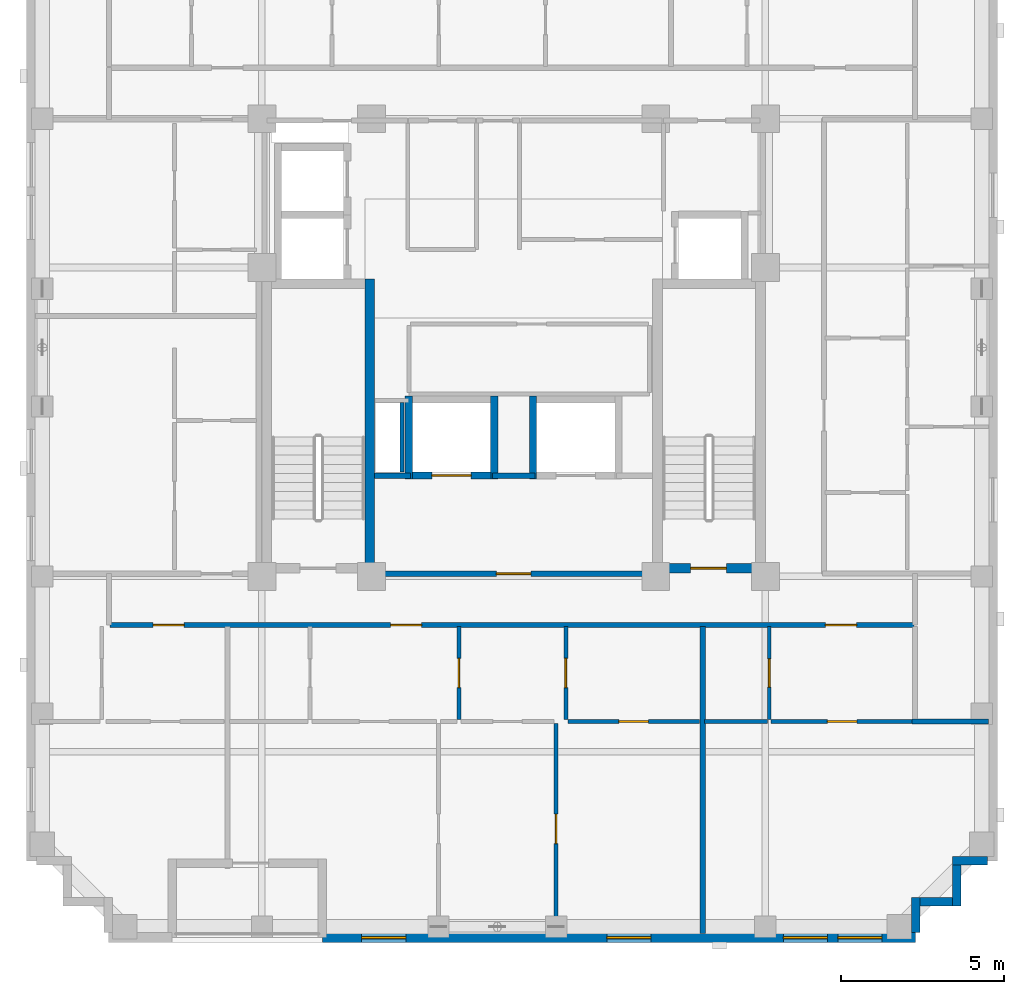
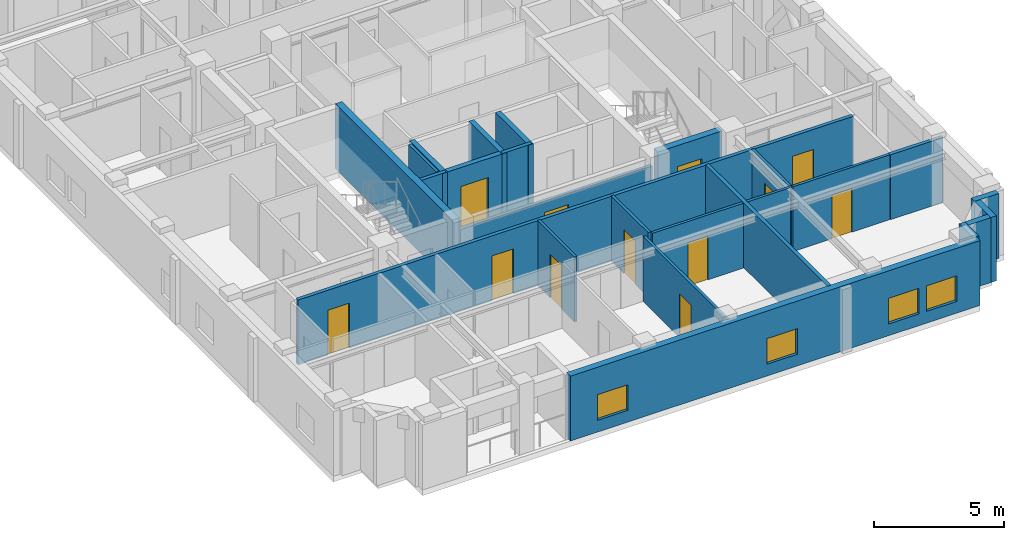
# One storey, part 3 of 10: 25 walls, 12 doors, 4 windows, 16 openings.
"""IFC4 building model written with IfcOpenShell, lengths in metres."""

from ifc_helpers import new_model, si_unit, derived_unit, direction, frame, frame_2d, origin, place, context, subcontext, project, spatial, rectangle, extrude, material, layer, layer_set, type_object, element, fill, save


model = new_model("IFC4")

# Units and contexts
model_context = context("Model", 3, precision=1e-05, world=origin(), true_north=direction((0.0, 1.0)))
body_context = subcontext(model_context, "Body", "Model", "MODEL_VIEW")
ifc_project = project(units=[si_unit("LENGTHUNIT", "METRE"), si_unit("AREAUNIT", "SQUARE_METRE"), si_unit("VOLUMEUNIT", "CUBIC_METRE"), si_unit("PLANEANGLEUNIT", "RADIAN"), si_unit("MASSUNIT", "GRAM", prefix="KILO"), derived_unit("THERMALTRANSMITTANCEUNIT", [(si_unit("MASSUNIT", "GRAM", prefix="KILO"), 1), (si_unit("TIMEUNIT", "SECOND"), -3), (si_unit("THERMODYNAMICTEMPERATUREUNIT", "KELVIN"), -1)])], contexts=[model_context])

# Site, building, storey
site_placement = place(None, origin())
site = spatial("IfcSite", under=ifc_project, at=site_placement, CompositionType="ELEMENT")
building_placement = place(site_placement, origin())
building = spatial("IfcBuilding", under=site, at=building_placement, Name="Korrvale Station Residences", CompositionType="ELEMENT")
storey_placement = place(building_placement, frame((0.0, 0.0, 207.39990234375)))
storey = spatial("IfcBuildingStorey", under=building, at=storey_placement, Name="L60", CompositionType="ELEMENT", Elevation=207.39990234375)

# Wall
ifc_material_1 = material(Name="Concrete C50/60", Category="concrete")
ifc_layer_1 = layer(ifc_material_1, 0.300048828125, Name="Concrete C50/60")
ifc_layer_set_1 = layer_set([ifc_layer_1], Name="Concrete C50/60")
wall_type_1 = type_object("IfcWallType", Name="WAL-CORE-300-C50", PredefinedType="SHEAR", material=ifc_layer_set_1)
wall_1_placement = place(storey_placement, frame((21.10009765625, 15.10009765625, 0.0), z_axis=(0.0, 0.0, 1.0), x_axis=(0.0, 1.0, 0.0)))
element("IfcWall", 1, at=wall_1_placement, inside=storey, type_object=wall_type_1, Name="L60 ST-1 Core Shear Wall East", PredefinedType="SHEAR", context=body_context, shape_type="SweptSolid", body=[
    extrude(rectangle(XDim=9.0, YDim=0.300048828125, at=frame_2d((4.5, 0.0))), origin(), (0.0, 0.0, 1.0), 3.0400390625),
])

# Wall, opening, door
wall_2_placement = place(storey_placement, frame((30.050048828125, 15.25, 0.0), z_axis=(0.0, 0.0, 1.0), x_axis=(1.0, 0.0, 0.0)))
wall_2 = element("IfcWall", 2, at=wall_2_placement, inside=storey, type_object=wall_type_1, Name="L60 ST-2 Core Shear Wall South", PredefinedType="SHEAR", context=body_context, shape_type="SweptSolid", body=[
    extrude(rectangle(XDim=2.849853515625, YDim=0.300048828125, at=frame_2d((1.4248046875, 0.0))), origin(), (0.0, 0.0, 1.0), 3.0400390625),
])
opening_1_placement = place(wall_2_placement, frame((0.860107421875, 0.0, 0.0)))
opening_1 = element("IfcOpeningElement", 3, at=opening_1_placement, cuts=wall_2, Name="Opening SD-1100", PredefinedType="OPENING", context=body_context, shape_type="SweptSolid", body=[
    extrude(rectangle(XDim=1.10009765625, YDim=2.050048828125, at=frame_2d((0.550048828125, 1.02490234375))), frame((0.0, 0.16015625, 0.0), z_axis=(0.0, -1.0, 0.0), x_axis=(1.0, 0.0, 0.0)), (0.0, 0.0, 1.0), 0.320068359375),
])
ifc_material_2 = material(Name="Hollow-metal fire-rated stair door with closer", Category="steel")
door_type_1 = type_object("IfcDoorType", Name="DR-STAIR-1100", OperationType="NOTDEFINED", PredefinedType="DOOR", material=ifc_material_2)
door_1_placement = place(opening_1_placement, origin())
door_1 = element("IfcDoor", 4, at=door_1_placement, inside=storey, type_object=door_type_1, Name="L60 ST-2 Exit Stair Door", OperationType="SINGLE_SWING_RIGHT", OverallHeight=2.050048828125, OverallWidth=1.10009765625, PredefinedType="DOOR", context=body_context, shape_type="SweptSolid", body=[
    extrude(rectangle(XDim=1.10009765625, YDim=2.050048828125, at=frame_2d((0.550048828125, 1.02490234375))), frame((0.0, 0.02490234375, 0.0), z_axis=(0.0, -1.0, 0.0), x_axis=(1.0, 0.0, 0.0)), (0.0, 0.0, 1.0), 0.050048828125),
])
fill(opening_1, door_1)

# Walls
ifc_material_3 = material(Name="Precast concrete C45/55", Category="concrete")
ifc_layer_2 = layer(ifc_material_3, 0.260009765625, Name="Precast concrete C45/55")
ifc_layer_set_2 = layer_set([ifc_layer_2], Name="Precast concrete C45/55")
wall_type_2 = type_object("IfcWallType", Name="WAL-EXT-LOG260", PredefinedType="SOLIDWALL", material=ifc_layer_set_2)
wall_3_placement = place(storey_placement, frame((39.998046875, 6.300048828125, 0.0), z_axis=(0.0, 0.0, 1.0), x_axis=(-1.0, 0.0, 0.0)))
element("IfcWall", 5, at=wall_3_placement, inside=storey, type_object=wall_type_2, Name="L60 Serrated Corner Precast Step SE-1", PredefinedType="SOLIDWALL", context=body_context, shape_type="SweptSolid", body=[
    extrude(rectangle(XDim=1.078125, YDim=0.260009765625, at=frame_2d((0.5390625, 0.0))), origin(), (0.0, 0.0, 1.0), 3.0400390625),
])
wall_4_placement = place(storey_placement, frame((39.050048828125, 6.16796875, 0.0), z_axis=(0.0, 0.0, 1.0), x_axis=(0.0, -1.0, 0.0)))
element("IfcWall", 6, at=wall_4_placement, inside=storey, type_object=wall_type_2, Name="L60 Serrated Corner Precast Step SE-2", PredefinedType="SOLIDWALL", context=body_context, shape_type="SweptSolid", body=[
    extrude(rectangle(XDim=1.248046875, YDim=0.260009765625, at=frame_2d((0.6240234375, 0.0))), origin(), (0.0, 0.0, 1.0), 3.0400390625),
])
wall_5_placement = place(storey_placement, frame((38.91796875, 5.050048828125, 0.0), z_axis=(0.0, 0.0, 1.0), x_axis=(-1.0, 0.0, 0.0)))
element("IfcWall", 7, at=wall_5_placement, inside=storey, type_object=wall_type_2, Name="L60 Serrated Corner Precast Step SE-3", PredefinedType="SOLIDWALL", context=body_context, shape_type="SweptSolid", body=[
    extrude(rectangle(XDim=0.986083984375, YDim=0.260009765625, at=frame_2d((0.4931640625, 0.0))), origin(), (0.0, 0.0, 1.0), 3.0400390625),
])
wall_6_placement = place(storey_placement, frame((37.800048828125, 5.179931640625, 0.0), z_axis=(0.0, 0.0, 1.0), x_axis=(0.0, -1.0, 0.0)))
element("IfcWall", 8, at=wall_6_placement, inside=storey, type_object=wall_type_2, Name="L60 Serrated Corner Precast Step SE-4", PredefinedType="SOLIDWALL", context=body_context, shape_type="SweptSolid", body=[
    extrude(rectangle(XDim=1.077880859375, YDim=0.260009765625, at=frame_2d((0.5390625, 0.0))), origin(), (0.0, 0.0, 1.0), 3.0400390625),
])

# Wall, openings, windows
ifc_layer_3 = layer(ifc_material_3, 0.300048828125, Name="Precast concrete C45/55")
ifc_layer_set_3 = layer_set([ifc_layer_3], Name="Precast concrete C45/55")
wall_type_3 = type_object("IfcWallType", Name="WAL-EXT-PC300", PredefinedType="SOLIDWALL", material=ifc_layer_set_3)
wall_7_placement = place(storey_placement, frame((37.800048828125, 3.949951171875, 0.0), z_axis=(0.0, 0.0, 1.0), x_axis=(-1.0, 0.0, 0.0)))
wall_7 = element("IfcWall", 9, at=wall_7_placement, inside=storey, type_object=wall_type_3, Name="L60 South Exterior Precast Wall 1", PredefinedType="SOLIDWALL", context=body_context, shape_type="SweptSolid", body=[
    extrude(rectangle(XDim=18.150146484375, YDim=0.300048828125, at=frame_2d((9.0751953125, 0.0))), origin(), (0.0, 0.0, 1.0), 3.0400390625),
])
opening_2_placement = place(wall_7_placement, frame((15.60009765625, 0.0, 0.550048828125)))
opening_2 = element("IfcOpeningElement", 10, at=opening_2_placement, cuts=wall_7, Name="Opening W-10", PredefinedType="OPENING", context=body_context, shape_type="SweptSolid", body=[
    extrude(rectangle(XDim=1.35009765625, YDim=1.199951171875, at=frame_2d((0.675048828125, 0.60009765625))), frame((0.0, 0.16015625, 0.0), z_axis=(0.0, -1.0, 0.0), x_axis=(1.0, 0.0, 0.0)), (0.0, 0.0, 1.0), 0.320068359375),
])
opening_3_placement = place(wall_7_placement, frame((8.10009765625, 0.0, 0.550048828125)))
opening_3 = element("IfcOpeningElement", 11, at=opening_3_placement, cuts=wall_7, Name="Opening W-10", PredefinedType="OPENING", context=body_context, shape_type="SweptSolid", body=[
    extrude(rectangle(XDim=1.35009765625, YDim=1.199951171875, at=frame_2d((0.675048828125, 0.60009765625))), frame((0.0, 0.16015625, 0.0), z_axis=(0.0, -1.0, 0.0), x_axis=(1.0, 0.0, 0.0)), (0.0, 0.0, 1.0), 0.320068359375),
])
opening_4_placement = place(wall_7_placement, frame((2.699951171875, 0.0, 0.550048828125)))
opening_4 = element("IfcOpeningElement", 12, at=opening_4_placement, cuts=wall_7, Name="Opening W-10", PredefinedType="OPENING", context=body_context, shape_type="SweptSolid", body=[
    extrude(rectangle(XDim=1.35009765625, YDim=1.199951171875, at=frame_2d((0.675048828125, 0.60009765625))), frame((0.0, 0.16015625, 0.0), z_axis=(0.0, -1.0, 0.0), x_axis=(1.0, 0.0, 0.0)), (0.0, 0.0, 1.0), 0.320068359375),
])
opening_5_placement = place(wall_7_placement, frame((1.034912109375, 0.0, 0.550048828125)))
opening_5 = element("IfcOpeningElement", 13, at=opening_5_placement, cuts=wall_7, Name="Opening W-10", PredefinedType="OPENING", context=body_context, shape_type="SweptSolid", body=[
    extrude(rectangle(XDim=1.35009765625, YDim=1.199951171875, at=frame_2d((0.675048828125, 0.60009765625))), frame((0.0, 0.16015625, 0.0), z_axis=(0.0, -1.0, 0.0), x_axis=(1.0, 0.0, 0.0)), (0.0, 0.0, 1.0), 0.320068359375),
])
ifc_material_4 = material(Name="Thermally broken aluminium frame with triple low-e glazing", Category="aluminium")
window_type = type_object("IfcWindowType", Name="WIN-W10", PartitioningType="SINGLE_PANEL", PredefinedType="WINDOW", material=ifc_material_4)
window_1_placement = place(opening_2_placement, origin())
window_1 = element("IfcWindow", 14, at=window_1_placement, inside=storey, type_object=window_type, Name="L60 Punched Window 02", OverallHeight=1.199951171875, OverallWidth=1.35009765625, PartitioningType="SINGLE_PANEL", PredefinedType="WINDOW", context=body_context, shape_type="SweptSolid", body=[
    extrude(rectangle(XDim=1.35009765625, YDim=1.199951171875, at=frame_2d((0.675048828125, 0.60009765625))), frame((0.0, 0.030029296875, 0.0), z_axis=(0.0, -1.0, 0.0), x_axis=(1.0, 0.0, 0.0)), (0.0, 0.0, 1.0), 0.06005859375),
])
fill(opening_2, window_1)
window_2_placement = place(opening_3_placement, origin())
window_2 = element("IfcWindow", 15, at=window_2_placement, inside=storey, type_object=window_type, Name="L60 Punched Window 03", OverallHeight=1.199951171875, OverallWidth=1.35009765625, PartitioningType="SINGLE_PANEL", PredefinedType="WINDOW", context=body_context, shape_type="SweptSolid", body=[
    extrude(rectangle(XDim=1.35009765625, YDim=1.199951171875, at=frame_2d((0.675048828125, 0.60009765625))), frame((0.0, 0.030029296875, 0.0), z_axis=(0.0, -1.0, 0.0), x_axis=(1.0, 0.0, 0.0)), (0.0, 0.0, 1.0), 0.06005859375),
])
fill(opening_3, window_2)
window_3_placement = place(opening_4_placement, origin())
window_3 = element("IfcWindow", 16, at=window_3_placement, inside=storey, type_object=window_type, Name="L60 Punched Window 04", OverallHeight=1.199951171875, OverallWidth=1.35009765625, PartitioningType="SINGLE_PANEL", PredefinedType="WINDOW", context=body_context, shape_type="SweptSolid", body=[
    extrude(rectangle(XDim=1.35009765625, YDim=1.199951171875, at=frame_2d((0.675048828125, 0.60009765625))), frame((0.0, 0.030029296875, 0.0), z_axis=(0.0, -1.0, 0.0), x_axis=(1.0, 0.0, 0.0)), (0.0, 0.0, 1.0), 0.06005859375),
])
fill(opening_4, window_3)
window_4_placement = place(opening_5_placement, origin())
window_4 = element("IfcWindow", 17, at=window_4_placement, inside=storey, type_object=window_type, Name="L60 Punched Window 05", OverallHeight=1.199951171875, OverallWidth=1.35009765625, PartitioningType="SINGLE_PANEL", PredefinedType="WINDOW", context=body_context, shape_type="SweptSolid", body=[
    extrude(rectangle(XDim=1.35009765625, YDim=1.199951171875, at=frame_2d((0.675048828125, 0.60009765625))), frame((0.0, 0.030029296875, 0.0), z_axis=(0.0, -1.0, 0.0), x_axis=(1.0, 0.0, 0.0)), (0.0, 0.0, 1.0), 0.06005859375),
])
fill(opening_5, window_4)

# Wall
ifc_material_5 = material(Name="Acoustic steel-stud gypsum board partition", Category="steel")
ifc_layer_4 = layer(ifc_material_5, 0.1201171875, Name="Acoustic steel-stud gypsum board partition")
ifc_layer_set_4 = layer_set([ifc_layer_4], Name="Acoustic steel-stud gypsum board partition")
wall_type_4 = type_object("IfcWallType", Name="WAL-PART-125", PredefinedType="PARTITIONING", material=ifc_layer_set_4)
wall_8_placement = place(storey_placement, frame((22.080078125, 18.199951171875, 0.0), z_axis=(0.0, 0.0, 1.0), x_axis=(0.0, 1.0, 0.0)))
element("IfcWall", 18, at=wall_8_placement, inside=storey, type_object=wall_type_4, Name="L60 Core Partition CW-RSWT", PredefinedType="PARTITIONING", context=body_context, shape_type="SweptSolid", body=[
    extrude(rectangle(XDim=2.1201171875, YDim=0.1201171875, at=frame_2d((1.06005859375, 0.0))), origin(), (0.0, 0.0, 1.0), 3.0400390625),
])

# Wall, opening, door
wall_9_placement = place(storey_placement, frame((23.825927734375, 10.6201171875, 0.0), z_axis=(0.0, 0.0, 1.0), x_axis=(0.0, 1.0, 0.0)))
wall_9 = element("IfcWall", 19, at=wall_9_placement, inside=storey, type_object=wall_type_4, Name="L60 Suite Partition U02-V12", PredefinedType="PARTITIONING", context=body_context, shape_type="SweptSolid", body=[
    extrude(rectangle(XDim=2.849853515625, YDim=0.1201171875, at=frame_2d((1.4248046875, 0.0))), origin(), (0.0, 0.0, 1.0), 3.0400390625),
])
opening_6_placement = place(wall_9_placement, frame((0.97509765625, 0.0, 0.0)))
opening_6 = element("IfcOpeningElement", 20, at=opening_6_placement, cuts=wall_9, Name="Opening DI-900", PredefinedType="OPENING", context=body_context, shape_type="SweptSolid", body=[
    extrude(rectangle(XDim=0.89990234375, YDim=2.050048828125, at=frame_2d((0.449951171875, 1.02490234375))), frame((0.0, 0.070068359375, 0.0), z_axis=(0.0, -1.0, 0.0), x_axis=(1.0, 0.0, 0.0)), (0.0, 0.0, 1.0), 0.14013671875),
])
ifc_material_6 = material(Name="Painted solid-core timber interior room door", Category="wood")
door_type_2 = type_object("IfcDoorType", Name="DR-INT-900", OperationType="NOTDEFINED", PredefinedType="DOOR", material=ifc_material_6)
door_2_placement = place(opening_6_placement, origin())
door_2 = element("IfcDoor", 21, at=door_2_placement, inside=storey, type_object=door_type_2, Name="L60 Apartment 1BR L60-U02 Kitchen Door", OperationType="SINGLE_SWING_RIGHT", OverallHeight=2.050048828125, OverallWidth=0.89990234375, PredefinedType="DOOR", context=body_context, shape_type="SweptSolid", body=[
    extrude(rectangle(XDim=0.89990234375, YDim=2.050048828125, at=frame_2d((0.449951171875, 1.02490234375))), frame((0.0, 0.02490234375, 0.0), z_axis=(0.0, -1.0, 0.0), x_axis=(1.0, 0.0, 0.0)), (0.0, 0.0, 1.0), 0.050048828125),
])
fill(opening_6, door_2)

wall_10_placement = place(storey_placement, frame((27.095947265625, 10.6201171875, 0.0), z_axis=(0.0, 0.0, 1.0), x_axis=(0.0, 1.0, 0.0)))
wall_10 = element("IfcWall", 22, at=wall_10_placement, inside=storey, type_object=wall_type_4, Name="L60 Suite Partition U02-V23", PredefinedType="PARTITIONING", context=body_context, shape_type="SweptSolid", body=[
    extrude(rectangle(XDim=2.849853515625, YDim=0.1201171875, at=frame_2d((1.4248046875, 0.0))), origin(), (0.0, 0.0, 1.0), 3.0400390625),
])
opening_7_placement = place(wall_10_placement, frame((0.97509765625, 0.0, 0.0)))
opening_7 = element("IfcOpeningElement", 23, at=opening_7_placement, cuts=wall_10, Name="Opening DI-900", PredefinedType="OPENING", context=body_context, shape_type="SweptSolid", body=[
    extrude(rectangle(XDim=0.89990234375, YDim=2.050048828125, at=frame_2d((0.449951171875, 1.02490234375))), frame((0.0, 0.070068359375, 0.0), z_axis=(0.0, -1.0, 0.0), x_axis=(1.0, 0.0, 0.0)), (0.0, 0.0, 1.0), 0.14013671875),
])
door_3_placement = place(opening_7_placement, origin())
door_3 = element("IfcDoor", 24, at=door_3_placement, inside=storey, type_object=door_type_2, Name="L60 Apartment 1BR L60-U02 Home Study Room Door", OperationType="SINGLE_SWING_RIGHT", OverallHeight=2.050048828125, OverallWidth=0.89990234375, PredefinedType="DOOR", context=body_context, shape_type="SweptSolid", body=[
    extrude(rectangle(XDim=0.89990234375, YDim=2.050048828125, at=frame_2d((0.449951171875, 1.02490234375))), frame((0.0, 0.02490234375, 0.0), z_axis=(0.0, -1.0, 0.0), x_axis=(1.0, 0.0, 0.0)), (0.0, 0.0, 1.0), 0.050048828125),
])
fill(opening_7, door_3)

wall_11_placement = place(storey_placement, frame((27.156005859375, 10.56005859375, 0.0), z_axis=(0.0, 0.0, 1.0), x_axis=(1.0, 0.0, 0.0)))
wall_11 = element("IfcWall", 25, at=wall_11_placement, inside=storey, type_object=wall_type_4, Name="L60 Suite Partition U02-H36", PredefinedType="PARTITIONING", context=body_context, shape_type="SweptSolid", body=[
    extrude(rectangle(XDim=4.030029296875, YDim=0.1201171875, at=frame_2d((2.01513671875, 0.0))), origin(), (0.0, 0.0, 1.0), 3.0400390625),
])
opening_8_placement = place(wall_11_placement, frame((1.56494140625, 0.0, 0.0)))
opening_8 = element("IfcOpeningElement", 26, at=opening_8_placement, cuts=wall_11, Name="Opening DI-900", PredefinedType="OPENING", context=body_context, shape_type="SweptSolid", body=[
    extrude(rectangle(XDim=0.89990234375, YDim=2.050048828125, at=frame_2d((0.449951171875, 1.02490234375))), frame((0.0, 0.070068359375, 0.0), z_axis=(0.0, -1.0, 0.0), x_axis=(1.0, 0.0, 0.0)), (0.0, 0.0, 1.0), 0.14013671875),
])
door_4_placement = place(opening_8_placement, origin())
door_4 = element("IfcDoor", 27, at=door_4_placement, inside=storey, type_object=door_type_2, Name="L60 Apartment 1BR L60-U02 Home Study Room Door", OperationType="SINGLE_SWING_RIGHT", OverallHeight=2.050048828125, OverallWidth=0.89990234375, PredefinedType="DOOR", context=body_context, shape_type="SweptSolid", body=[
    extrude(rectangle(XDim=0.89990234375, YDim=2.050048828125, at=frame_2d((0.449951171875, 1.02490234375))), frame((0.0, 0.02490234375, 0.0), z_axis=(0.0, -1.0, 0.0), x_axis=(1.0, 0.0, 0.0)), (0.0, 0.0, 1.0), 0.050048828125),
])
fill(opening_8, door_4)

wall_12_placement = place(storey_placement, frame((26.800048828125, 4.080078125, 0.0), z_axis=(0.0, 0.0, 1.0), x_axis=(0.0, 1.0, 0.0)))
wall_12 = element("IfcWall", 28, at=wall_12_placement, inside=storey, type_object=wall_type_4, Name="L60 Suite Partition U02-V56", PredefinedType="PARTITIONING", context=body_context, shape_type="SweptSolid", body=[
    extrude(rectangle(XDim=6.419921875, YDim=0.1201171875, at=frame_2d((3.2099609375, 0.0))), origin(), (0.0, 0.0, 1.0), 3.0400390625),
])
opening_9_placement = place(wall_12_placement, frame((2.7451171875, 0.0, 0.0)))
opening_9 = element("IfcOpeningElement", 29, at=opening_9_placement, cuts=wall_12, Name="Opening DI-900", PredefinedType="OPENING", context=body_context, shape_type="SweptSolid", body=[
    extrude(rectangle(XDim=0.89990234375, YDim=2.050048828125, at=frame_2d((0.449951171875, 1.02490234375))), frame((0.0, 0.070068359375, 0.0), z_axis=(0.0, -1.0, 0.0), x_axis=(1.0, 0.0, 0.0)), (0.0, 0.0, 1.0), 0.14013671875),
])
door_5_placement = place(opening_9_placement, origin())
door_5 = element("IfcDoor", 30, at=door_5_placement, inside=storey, type_object=door_type_2, Name="L60 Apartment 1BR L60-U02 Wardrobe Storage Room Door", OperationType="SINGLE_SWING_RIGHT", OverallHeight=2.050048828125, OverallWidth=0.89990234375, PredefinedType="DOOR", context=body_context, shape_type="SweptSolid", body=[
    extrude(rectangle(XDim=0.89990234375, YDim=2.050048828125, at=frame_2d((0.449951171875, 1.02490234375))), frame((0.0, 0.02490234375, 0.0), z_axis=(0.0, -1.0, 0.0), x_axis=(1.0, 0.0, 0.0)), (0.0, 0.0, 1.0), 0.050048828125),
])
fill(opening_9, door_5)

wall_13_placement = place(storey_placement, frame((33.318115234375, 10.6201171875, 0.0), z_axis=(0.0, 0.0, 1.0), x_axis=(0.0, 1.0, 0.0)))
wall_13 = element("IfcWall", 31, at=wall_13_placement, inside=storey, type_object=wall_type_4, Name="L60 Suite Partition U03-V01", PredefinedType="PARTITIONING", context=body_context, shape_type="SweptSolid", body=[
    extrude(rectangle(XDim=2.849853515625, YDim=0.1201171875, at=frame_2d((1.4248046875, 0.0))), origin(), (0.0, 0.0, 1.0), 3.0400390625),
])
opening_10_placement = place(wall_13_placement, frame((0.9951171875, 0.0, 0.0)))
opening_10 = element("IfcOpeningElement", 32, at=opening_10_placement, cuts=wall_13, Name="Opening DB-860", PredefinedType="OPENING", context=body_context, shape_type="SweptSolid", body=[
    extrude(rectangle(XDim=0.860107421875, YDim=2.050048828125, at=frame_2d((0.43017578125, 1.02490234375))), frame((0.0, 0.070068359375, 0.0), z_axis=(0.0, -1.0, 0.0), x_axis=(1.0, 0.0, 0.0)), (0.0, 0.0, 1.0), 0.14013671875),
])
ifc_material_7 = material(Name="Moisture-resistant solid-core bathroom door", Category="timber")
door_type_3 = type_object("IfcDoorType", Name="DR-BATH-860", OperationType="NOTDEFINED", PredefinedType="DOOR", material=ifc_material_7)
door_6_placement = place(opening_10_placement, origin())
door_6 = element("IfcDoor", 33, at=door_6_placement, inside=storey, type_object=door_type_3, Name="L60 Studio Apartment L60-U03 Bathroom Door", OperationType="SINGLE_SWING_LEFT", OverallHeight=2.050048828125, OverallWidth=0.860107421875, PredefinedType="DOOR", context=body_context, shape_type="SweptSolid", body=[
    extrude(rectangle(XDim=0.860107421875, YDim=2.050048828125, at=frame_2d((0.43017578125, 1.02490234375))), frame((0.0, 0.02490234375, 0.0), z_axis=(0.0, -1.0, 0.0), x_axis=(1.0, 0.0, 0.0)), (0.0, 0.0, 1.0), 0.050048828125),
])
fill(opening_10, door_6)

# Wall
wall_14_placement = place(storey_placement, frame((31.345947265625, 10.56005859375, 0.0), z_axis=(0.0, 0.0, 1.0), x_axis=(1.0, 0.0, 0.0)))
element("IfcWall", 34, at=wall_14_placement, inside=storey, type_object=wall_type_4, Name="L60 Suite Partition U03-H02", PredefinedType="PARTITIONING", context=body_context, shape_type="SweptSolid", body=[
    extrude(rectangle(XDim=1.912109375, YDim=0.1201171875, at=frame_2d((0.9560546875, 0.0))), origin(), (0.0, 0.0, 1.0), 3.0400390625),
])

# Wall, opening, door
wall_15_placement = place(storey_placement, frame((33.3779296875, 10.56005859375, 0.0), z_axis=(0.0, 0.0, 1.0), x_axis=(1.0, 0.0, 0.0)))
wall_15 = element("IfcWall", 35, at=wall_15_placement, inside=storey, type_object=wall_type_4, Name="L60 Suite Partition U03-H12", PredefinedType="PARTITIONING", context=body_context, shape_type="SweptSolid", body=[
    extrude(rectangle(XDim=4.342041015625, YDim=0.1201171875, at=frame_2d((2.1708984375, 0.0))), origin(), (0.0, 0.0, 1.0), 3.0400390625),
])
opening_11_placement = place(wall_15_placement, frame((1.720947265625, 0.0, 0.0)))
opening_11 = element("IfcOpeningElement", 36, at=opening_11_placement, cuts=wall_15, Name="Opening DI-900", PredefinedType="OPENING", context=body_context, shape_type="SweptSolid", body=[
    extrude(rectangle(XDim=0.89990234375, YDim=2.050048828125, at=frame_2d((0.449951171875, 1.02490234375))), frame((0.0, 0.070068359375, 0.0), z_axis=(0.0, -1.0, 0.0), x_axis=(1.0, 0.0, 0.0)), (0.0, 0.0, 1.0), 0.14013671875),
])
door_7_placement = place(opening_11_placement, origin())
door_7 = element("IfcDoor", 37, at=door_7_placement, inside=storey, type_object=door_type_2, Name="L60 Studio Apartment L60-U03 Kitchen Door", OperationType="SINGLE_SWING_RIGHT", OverallHeight=2.050048828125, OverallWidth=0.89990234375, PredefinedType="DOOR", context=body_context, shape_type="SweptSolid", body=[
    extrude(rectangle(XDim=0.89990234375, YDim=2.050048828125, at=frame_2d((0.449951171875, 1.02490234375))), frame((0.0, 0.02490234375, 0.0), z_axis=(0.0, -1.0, 0.0), x_axis=(1.0, 0.0, 0.0)), (0.0, 0.0, 1.0), 0.050048828125),
])
fill(opening_11, door_7)

ifc_material_8 = material(Name="Fire-rated twin-stud gypsum and mineral wool shaftwall assembly", Category="gypsum")
ifc_layer_5 = layer(ifc_material_8, 0.159912109375, Name="Fire-rated twin-stud gypsum and mineral wool shaftwall assembly")
ifc_layer_set_5 = layer_set([ifc_layer_5], Name="Fire-rated twin-stud gypsum and mineral wool shaftwall assembly")
wall_type_5 = type_object("IfcWallType", Name="WAL-PART-200", PredefinedType="PARTITIONING", material=ifc_layer_set_5)
wall_16_placement = place(storey_placement, frame((21.25, 15.080078125, 0.0), z_axis=(0.0, 0.0, 1.0), x_axis=(1.0, 0.0, 0.0)))
wall_16 = element("IfcWall", 38, at=wall_16_placement, inside=storey, type_object=wall_type_5, Name="L60 Core Partition CW-FFL-S", PredefinedType="PARTITIONING", context=body_context, shape_type="SweptSolid", body=[
    extrude(rectangle(XDim=8.5, YDim=0.159912109375, at=frame_2d((4.25, 0.0))), origin(), (0.0, 0.0, 1.0), 2.55615234375),
])
opening_12_placement = place(wall_16_placement, frame((3.72509765625, 0.0, 0.0)))
opening_12 = element("IfcOpeningElement", 39, at=opening_12_placement, cuts=wall_16, Name="Opening FD-1050", PredefinedType="OPENING", context=body_context, shape_type="SweptSolid", body=[
    extrude(rectangle(XDim=1.050048828125, YDim=2.050048828125, at=frame_2d((0.52490234375, 1.02490234375))), frame((0.0, 0.08984375, 0.0), z_axis=(0.0, -1.0, 0.0), x_axis=(1.0, 0.0, 0.0)), (0.0, 0.0, 1.0), 0.179931640625),
])
ifc_material_9 = material(Name="Fire-rated mineral-core timber lobby door", Category="wood")
door_type_4 = type_object("IfcDoorType", Name="DR-CORE-1050", OperationType="NOTDEFINED", PredefinedType="DOOR", material=ifc_material_9)
door_8_placement = place(opening_12_placement, origin())
door_8 = element("IfcDoor", 40, at=door_8_placement, inside=storey, type_object=door_type_4, Name="L60 Firefighting Lobby Entry Door", OperationType="SINGLE_SWING_RIGHT", OverallHeight=2.050048828125, OverallWidth=1.050048828125, PredefinedType="DOOR", context=body_context, shape_type="SweptSolid", body=[
    extrude(rectangle(XDim=1.050048828125, YDim=2.050048828125, at=frame_2d((0.52490234375, 1.02490234375))), frame((0.0, 0.02490234375, 0.0), z_axis=(0.0, -1.0, 0.0), x_axis=(1.0, 0.0, 0.0)), (0.0, 0.0, 1.0), 0.050048828125),
])
fill(opening_12, door_8)

# Walls
wall_17_placement = place(storey_placement, frame((21.25, 18.080078125, 0.0), z_axis=(0.0, 0.0, 1.0), x_axis=(1.0, 0.0, 0.0)))
element("IfcWall", 41, at=wall_17_placement, inside=storey, type_object=wall_type_5, Name="L60 Core Partition CW-FFL-N1", PredefinedType="PARTITIONING", context=body_context, shape_type="SweptSolid", body=[
    extrude(rectangle(XDim=1.10009765625, YDim=0.159912109375, at=frame_2d((0.550048828125, 0.0))), origin(), (0.0, 0.0, 1.0), 3.0400390625),
])
wall_18_placement = place(storey_placement, frame((24.85009765625, 18.080078125, 0.0), z_axis=(0.0, 0.0, 1.0), x_axis=(1.0, 0.0, 0.0)))
element("IfcWall", 42, at=wall_18_placement, inside=storey, type_object=wall_type_5, Name="L60 Core Partition CW-FFL-N2", PredefinedType="PARTITIONING", context=body_context, shape_type="SweptSolid", body=[
    extrude(rectangle(XDim=1.2998046875, YDim=0.159912109375, at=frame_2d((0.64990234375, 0.0))), origin(), (0.0, 0.0, 1.0), 3.0400390625),
])
wall_19_placement = place(storey_placement, frame((37.679931640625, 10.56005859375, 0.0), z_axis=(0.0, 0.0, 1.0), x_axis=(1.0, 0.0, 0.0)))
element("IfcWall", 43, at=wall_19_placement, inside=storey, type_object=wall_type_5, Name="L60 Corner Step Wall U03-R", PredefinedType="PARTITIONING", context=body_context, shape_type="SweptSolid", body=[
    extrude(rectangle(XDim=2.340087890625, YDim=0.159912109375, at=frame_2d((1.169921875, 0.0))), origin(), (0.0, 0.0, 1.0), 3.0400390625),
])
wall_20_placement = place(storey_placement, frame((31.285888671875, 4.080078125, 0.0), z_axis=(0.0, 0.0, 1.0), x_axis=(0.0, 1.0, 0.0)))
element("IfcWall", 44, at=wall_20_placement, inside=storey, type_object=wall_type_5, Name="L60 Demising Wall U03-W", PredefinedType="PARTITIONING", context=body_context, shape_type="SweptSolid", body=[
    extrude(rectangle(XDim=9.389892578125, YDim=0.159912109375, at=frame_2d((4.69482421875, 0.0))), origin(), (0.0, 0.0, 1.0), 3.0400390625),
])

# Wall, openings, doors
wall_21_placement = place(storey_placement, frame((13.14990234375, 13.510009765625, 0.0), z_axis=(0.0, 0.0, 1.0), x_axis=(1.0, 0.0, 0.0)))
wall_21 = element("IfcWall", 45, at=wall_21_placement, inside=storey, type_object=wall_type_5, Name="L60 Rated Corridor Wall S", PredefinedType="PARTITIONING", context=body_context, shape_type="SweptSolid", body=[
    extrude(rectangle(XDim=24.60009765625, YDim=0.159912109375, at=frame_2d((12.300048828125, 0.0))), origin(), (0.0, 0.0, 1.0), 3.0400390625),
])
opening_13_placement = place(wall_21_placement, frame((1.322998046875, 0.0, 0.0)))
opening_13 = element("IfcOpeningElement", 46, at=opening_13_placement, cuts=wall_21, Name="Opening UD-950", PredefinedType="OPENING", context=body_context, shape_type="SweptSolid", body=[
    extrude(rectangle(XDim=0.949951171875, YDim=2.10009765625, at=frame_2d((0.47509765625, 1.050048828125))), frame((0.0, 0.08984375, 0.0), z_axis=(0.0, -1.0, 0.0), x_axis=(1.0, 0.0, 0.0)), (0.0, 0.0, 1.0), 0.179931640625),
])
opening_14_placement = place(wall_21_placement, frame((8.5849609375, 0.0, 0.0)))
opening_14 = element("IfcOpeningElement", 47, at=opening_14_placement, cuts=wall_21, Name="Opening UD-950", PredefinedType="OPENING", context=body_context, shape_type="SweptSolid", body=[
    extrude(rectangle(XDim=0.949951171875, YDim=2.10009765625, at=frame_2d((0.47509765625, 1.050048828125))), frame((0.0, 0.08984375, 0.0), z_axis=(0.0, -1.0, 0.0), x_axis=(1.0, 0.0, 0.0)), (0.0, 0.0, 1.0), 0.179931640625),
])
opening_15_placement = place(wall_21_placement, frame((21.888916015625, 0.0, 0.0)))
opening_15 = element("IfcOpeningElement", 48, at=opening_15_placement, cuts=wall_21, Name="Opening UD-950", PredefinedType="OPENING", context=body_context, shape_type="SweptSolid", body=[
    extrude(rectangle(XDim=0.949951171875, YDim=2.10009765625, at=frame_2d((0.47509765625, 1.050048828125))), frame((0.0, 0.08984375, 0.0), z_axis=(0.0, -1.0, 0.0), x_axis=(1.0, 0.0, 0.0)), (0.0, 0.0, 1.0), 0.179931640625),
])
ifc_material_10 = material(Name="Solid-core acoustic oak apartment entrance door", Category="timber")
door_type_5 = type_object("IfcDoorType", Name="DR-UNIT-950", OperationType="NOTDEFINED", PredefinedType="DOOR", material=ifc_material_10)
door_9_placement = place(opening_13_placement, origin())
door_9 = element("IfcDoor", 49, at=door_9_placement, inside=storey, type_object=door_type_5, Name="L60 Apartment L60-U01 Entrance Door", OperationType="SINGLE_SWING_LEFT", OverallHeight=2.10009765625, OverallWidth=0.949951171875, PredefinedType="DOOR", context=body_context, shape_type="SweptSolid", body=[
    extrude(rectangle(XDim=0.949951171875, YDim=2.10009765625, at=frame_2d((0.47509765625, 1.050048828125))), frame((0.0, 0.02490234375, 0.0), z_axis=(0.0, -1.0, 0.0), x_axis=(1.0, 0.0, 0.0)), (0.0, 0.0, 1.0), 0.050048828125),
])
fill(opening_13, door_9)
door_10_placement = place(opening_14_placement, origin())
door_10 = element("IfcDoor", 50, at=door_10_placement, inside=storey, type_object=door_type_5, Name="L60 Apartment L60-U02 Entrance Door", OperationType="SINGLE_SWING_RIGHT", OverallHeight=2.10009765625, OverallWidth=0.949951171875, PredefinedType="DOOR", context=body_context, shape_type="SweptSolid", body=[
    extrude(rectangle(XDim=0.949951171875, YDim=2.10009765625, at=frame_2d((0.47509765625, 1.050048828125))), frame((0.0, 0.02490234375, 0.0), z_axis=(0.0, -1.0, 0.0), x_axis=(1.0, 0.0, 0.0)), (0.0, 0.0, 1.0), 0.050048828125),
])
fill(opening_14, door_10)
door_11_placement = place(opening_15_placement, origin())
door_11 = element("IfcDoor", 51, at=door_11_placement, inside=storey, type_object=door_type_5, Name="L60 Apartment L60-U03 Entrance Door", OperationType="SINGLE_SWING_LEFT", OverallHeight=2.10009765625, OverallWidth=0.949951171875, PredefinedType="DOOR", context=body_context, shape_type="SweptSolid", body=[
    extrude(rectangle(XDim=0.949951171875, YDim=2.10009765625, at=frame_2d((0.47509765625, 1.050048828125))), frame((0.0, 0.02490234375, 0.0), z_axis=(0.0, -1.0, 0.0), x_axis=(1.0, 0.0, 0.0)), (0.0, 0.0, 1.0), 0.050048828125),
])
fill(opening_15, door_11)

# Wall, opening, door
ifc_layer_6 = layer(ifc_material_1, 0.219970703125, Name="Concrete C50/60")
ifc_layer_set_6 = layer_set([ifc_layer_6], Name="Concrete C50/60")
wall_type_6 = type_object("IfcWallType", Name="WAL-SHAFT-220-C50", PredefinedType="SHEAR", material=ifc_layer_set_6)
wall_22_placement = place(storey_placement, frame((22.39990234375, 18.090087890625, 0.0), z_axis=(0.0, 0.0, 1.0), x_axis=(1.0, 0.0, 0.0)))
wall_22 = element("IfcWall", 52, at=wall_22_placement, inside=storey, type_object=wall_type_6, Name="L60 Elevator FFL-1 Hoistway Wall South", PredefinedType="SHEAR", context=body_context, shape_type="SweptSolid", body=[
    extrude(rectangle(XDim=2.400146484375, YDim=0.219970703125, at=frame_2d((1.2001953125, 0.0))), origin(), (0.0, 0.0, 1.0), 3.0400390625),
])
opening_16_placement = place(wall_22_placement, frame((0.60009765625, 0.0, 0.0)))
opening_16 = element("IfcOpeningElement", 53, at=opening_16_placement, cuts=wall_22, Name="Opening LD-FF1200", PredefinedType="OPENING", context=body_context, shape_type="SweptSolid", body=[
    extrude(rectangle(XDim=1.199951171875, YDim=2.14990234375, at=frame_2d((0.60009765625, 1.074951171875))), frame((0.0, 0.1201171875, 0.0), z_axis=(0.0, -1.0, 0.0), x_axis=(1.0, 0.0, 0.0)), (0.0, 0.0, 1.0), 0.239990234375),
])
ifc_material_11 = material(Name="Stainless-steel firefighter elevator landing sliding door", Category="steel")
door_type_6 = type_object("IfcDoorType", Name="DR-LIFT-FF1200", OperationType="SLIDING_TO_LEFT", PredefinedType="DOOR", material=ifc_material_11)
door_12_placement = place(opening_16_placement, origin())
door_12 = element("IfcDoor", 54, at=door_12_placement, inside=storey, type_object=door_type_6, Name="L60 Elevator FFL-1 Sliding Landing Door", OperationType="SLIDING_TO_LEFT", OverallHeight=2.14990234375, OverallWidth=1.199951171875, PredefinedType="DOOR", context=body_context, shape_type="SweptSolid", body=[
    extrude(rectangle(XDim=1.199951171875, YDim=2.14990234375, at=frame_2d((0.60009765625, 1.074951171875))), frame((0.0, 0.02490234375, 0.0), z_axis=(0.0, -1.0, 0.0), x_axis=(1.0, 0.0, 0.0)), (0.0, 0.0, 1.0), 0.050048828125),
])
fill(opening_16, door_12)

# Walls
for number, where, z_axis, x_axis, name in (
    (55, (22.2900390625, 17.97998046875, 0.0), (0.0, 0.0, 1.0), (0.0, 1.0, 0.0), "L60 Elevator FFL-1 Hoistway Wall West"),
    (56, (24.909912109375, 17.97998046875, 0.0), (0.0, 0.0, 1.0), (0.0, 1.0, 0.0), "L60 Elevator FFL-1 Hoistway Wall East"),
    (57, (26.090087890625, 17.97998046875, 0.0), (0.0, 0.0, 1.0), (0.0, 1.0, 0.0), "L60 Elevator FFL-2 Hoistway Wall West"),
):
    element("IfcWall", number, at=place(storey_placement, frame(where, z_axis=z_axis, x_axis=x_axis)), inside=storey, type_object=wall_type_6, Name=name, PredefinedType="SHEAR", context=body_context, shape_type="SweptSolid", body=[
        extrude(rectangle(XDim=2.5400390625, YDim=0.219970703125, at=frame_2d((1.27001953125, 0.0))), origin(), (0.0, 0.0, 1.0), 3.0400390625),
    ])

save(model, "model.ifc")
